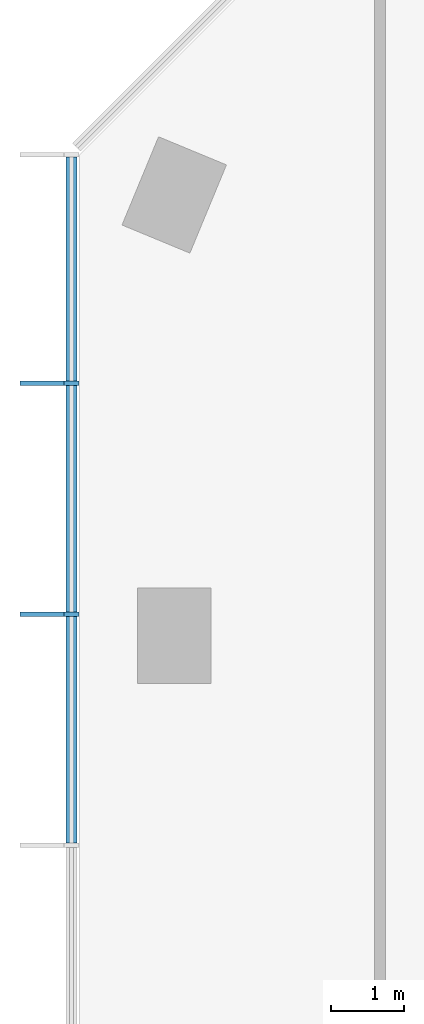
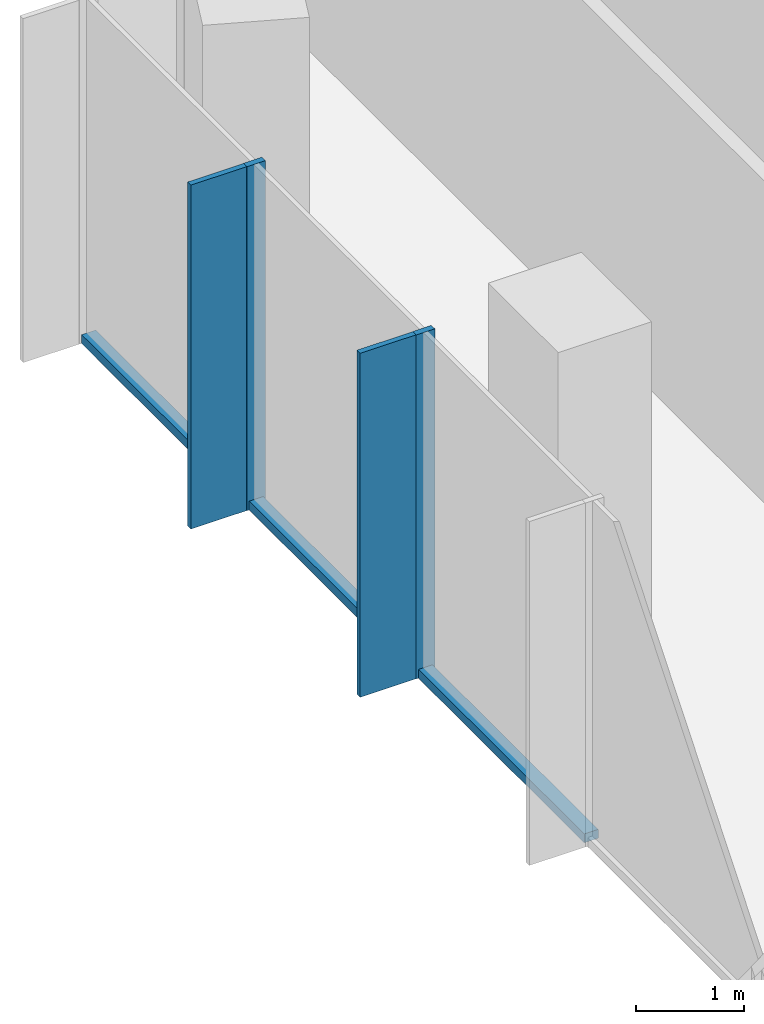
# One storey, part 3 of 10: 7 members, 1 element without a shape of its own.
"""IFC4 building model written with IfcOpenShell, lengths in metres."""

from ifc_helpers import new_model, si_unit, direction, frame, origin, origin_2d, place, context, subcontext, project, spatial, rectangle, extrude, material, layer, layer_set, material_profile, profile_set, type_object, element, aggregate, save


model = new_model("IFC4")

# Units and contexts
model_context = context("Model", 3, precision=1e-05, world=origin(), true_north=direction((0.0, 1.0)))
body_context = subcontext(model_context, "Body", "Model", "MODEL_VIEW")
ifc_project = project(units=[si_unit("LENGTHUNIT", "METRE"), si_unit("AREAUNIT", "SQUARE_METRE"), si_unit("VOLUMEUNIT", "CUBIC_METRE"), si_unit("PLANEANGLEUNIT", "RADIAN"), si_unit("MASSUNIT", "GRAM", prefix="KILO")], contexts=[model_context])

# Site, building, storey
site_placement = place(None, origin())
site = spatial("IfcSite", under=ifc_project, at=site_placement, CompositionType="ELEMENT")
building_placement = place(site_placement, origin())
building = spatial("IfcBuilding", under=site, at=building_placement, Name="Highveld Stack Headquarters", CompositionType="ELEMENT")
storey_placement = place(building_placement, frame((0.0, 0.0, 248.89990234375)))
storey = spatial("IfcBuildingStorey", under=building, at=storey_placement, Name="L61", CompositionType="ELEMENT", Elevation=248.89990234375)

# Curtain wall, members
ifc_material_1 = material(Name="Aluminium bronze anodised", Category="aluminium")
ifc_layer = layer(ifc_material_1, 0.199951171875)
ifc_layer_set = layer_set([ifc_layer], Name="Aluminium bronze anodised")
curtain_wall_type = type_object("IfcCurtainWallType", Name="CW5 EXECUTIVE UNITISED CURTAIN WALL", PredefinedType="NOTDEFINED", material=ifc_layer_set)
curtain_wall_placement = place(storey_placement, origin())
curtain_wall = element("IfcCurtainWall", 1, at=curtain_wall_placement, inside=storey, type_object=curtain_wall_type, Name="Curtain wall CW5 L61 W", PredefinedType="NOTDEFINED")
ifc_material_2 = material(Name="Aluminium bronze anodised", Category="aluminium")
ifc_material_profile_1 = material_profile(ifc_material_2, rectangle(XDim=0.60009765625, YDim=0.06005859375, at=origin_2d()), Name="FIN 600x60")
ifc_profile_set_1 = profile_set([ifc_material_profile_1], Name="Aluminium bronze anodised")
member_type_1 = type_object("IfcMemberType", Name="CW5 BRONZE FIN 600x60", PredefinedType="USERDEFINED", material=ifc_profile_set_1)
member_1_placement = place(storey_placement, frame((-13.800048828125, 15.434814453125, 0.0), z_axis=(0.0, 0.0, 1.0), x_axis=(1.0, 0.0, 0.0)))
member_1 = element("IfcMember", 2, at=member_1_placement, type_object=member_type_1, Name="CW5 fin L61 2", ObjectType="FIN", PredefinedType="USERDEFINED", context=body_context, shape_type="SweptSolid", body=[
    extrude(rectangle(XDim=0.60009765625, YDim=0.06005859375, at=origin_2d()), origin(), (0.0, 0.0, 1.0), 3.900146484375),
])
member_2_placement = place(storey_placement, frame((-13.800048828125, 12.289794921875, 0.0), z_axis=(0.0, 0.0, 1.0), x_axis=(1.0, 0.0, 0.0)))
member_2 = element("IfcMember", 3, at=member_2_placement, type_object=member_type_1, Name="CW5 fin L61 3", ObjectType="FIN", PredefinedType="USERDEFINED", context=body_context, shape_type="SweptSolid", body=[
    extrude(rectangle(XDim=0.60009765625, YDim=0.06005859375, at=origin_2d()), origin(), (0.0, 0.0, 1.0), 3.900146484375),
])
ifc_material_3 = material(Name="Aluminium bronze anodised", Category="aluminium")
ifc_material_profile_2 = material_profile(ifc_material_3, rectangle(XDim=0.199951171875, YDim=0.06494140625, at=origin_2d()), Name="CW5 MULLION 65x200")
ifc_profile_set_2 = profile_set([ifc_material_profile_2], Name="Aluminium bronze anodised")
member_type_2 = type_object("IfcMemberType", Name="CW5 MULLION 65x200", PredefinedType="MULLION", material=ifc_profile_set_2)
member_3_placement = place(storey_placement, frame((-13.39990234375, 15.434814453125, 0.0), z_axis=(0.0, 0.0, 1.0), x_axis=(1.0, 0.0, 0.0)))
member_3 = element("IfcMember", 4, at=member_3_placement, type_object=member_type_2, Name="CW5 mullion L61 2", PredefinedType="MULLION", context=body_context, shape_type="SweptSolid", body=[
    extrude(rectangle(XDim=0.199951171875, YDim=0.06494140625, at=origin_2d()), origin(), (0.0, 0.0, 1.0), 3.900146484375),
])
member_4_placement = place(storey_placement, frame((-13.39990234375, 12.289794921875, 0.0), z_axis=(0.0, 0.0, 1.0), x_axis=(1.0, 0.0, 0.0)))
member_4 = element("IfcMember", 5, at=member_4_placement, type_object=member_type_2, Name="CW5 mullion L61 3", PredefinedType="MULLION", context=body_context, shape_type="SweptSolid", body=[
    extrude(rectangle(XDim=0.199951171875, YDim=0.06494140625, at=origin_2d()), origin(), (0.0, 0.0, 1.0), 3.900146484375),
])
ifc_material_4 = material(Name="Aluminium bronze anodised", Category="aluminium")
ifc_material_profile_3 = material_profile(ifc_material_4, rectangle(XDim=0.14990234375, YDim=0.10009765625, at=origin_2d()), Name="CW5 TRANSOM 150x100")
ifc_profile_set_3 = profile_set([ifc_material_profile_3], Name="Aluminium bronze anodised")
member_type_3 = type_object("IfcMemberType", Name="CW5 STACK TRANSOM 150x100", PredefinedType="USERDEFINED", material=ifc_profile_set_3)
member_5_placement = place(storey_placement, frame((-13.39990234375, 18.514892578125, 0.050048828125), z_axis=(0.0, -1.0, 0.0), x_axis=(1.0, 0.0, 0.0)))
member_5 = element("IfcMember", 6, at=member_5_placement, type_object=member_type_3, Name="CW5 transom L61 1.1", ObjectType="TRANSOM", PredefinedType="USERDEFINED", context=body_context, shape_type="SweptSolid", body=[
    extrude(rectangle(XDim=0.14990234375, YDim=0.10009765625, at=origin_2d()), origin(), (0.0, 0.0, 1.0), 3.047607421875),
])
member_6_placement = place(storey_placement, frame((-13.39990234375, 15.40234375, 0.050048828125), z_axis=(0.0, -1.0, 0.0), x_axis=(1.0, 0.0, 0.0)))
member_6 = element("IfcMember", 7, at=member_6_placement, type_object=member_type_3, Name="CW5 transom L61 2.1", ObjectType="TRANSOM", PredefinedType="USERDEFINED", context=body_context, shape_type="SweptSolid", body=[
    extrude(rectangle(XDim=0.14990234375, YDim=0.10009765625, at=origin_2d()), origin(), (0.0, 0.0, 1.0), 3.079833984375),
])
member_7_placement = place(storey_placement, frame((-13.39990234375, 12.25732421875, 0.050048828125), z_axis=(0.0, -1.0, 0.0), x_axis=(1.0, 0.0, 0.0)))
member_7 = element("IfcMember", 8, at=member_7_placement, type_object=member_type_3, Name="CW5 transom L61 3.1", ObjectType="TRANSOM", PredefinedType="USERDEFINED", context=body_context, shape_type="SweptSolid", body=[
    extrude(rectangle(XDim=0.14990234375, YDim=0.10009765625, at=origin_2d()), origin(), (0.0, 0.0, 1.0), 3.079833984375),
])
aggregate(curtain_wall, [member_3, member_1, member_4, member_2, member_5, member_6, member_7])

save(model, "model.ifc")
